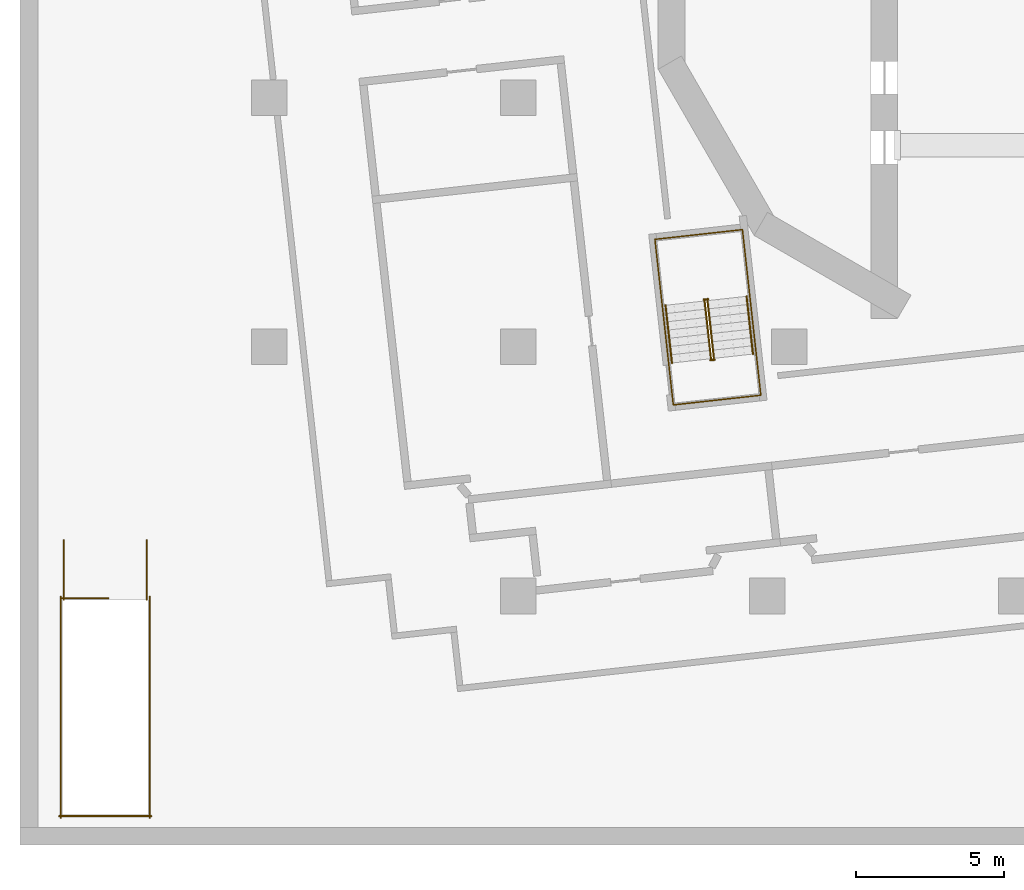
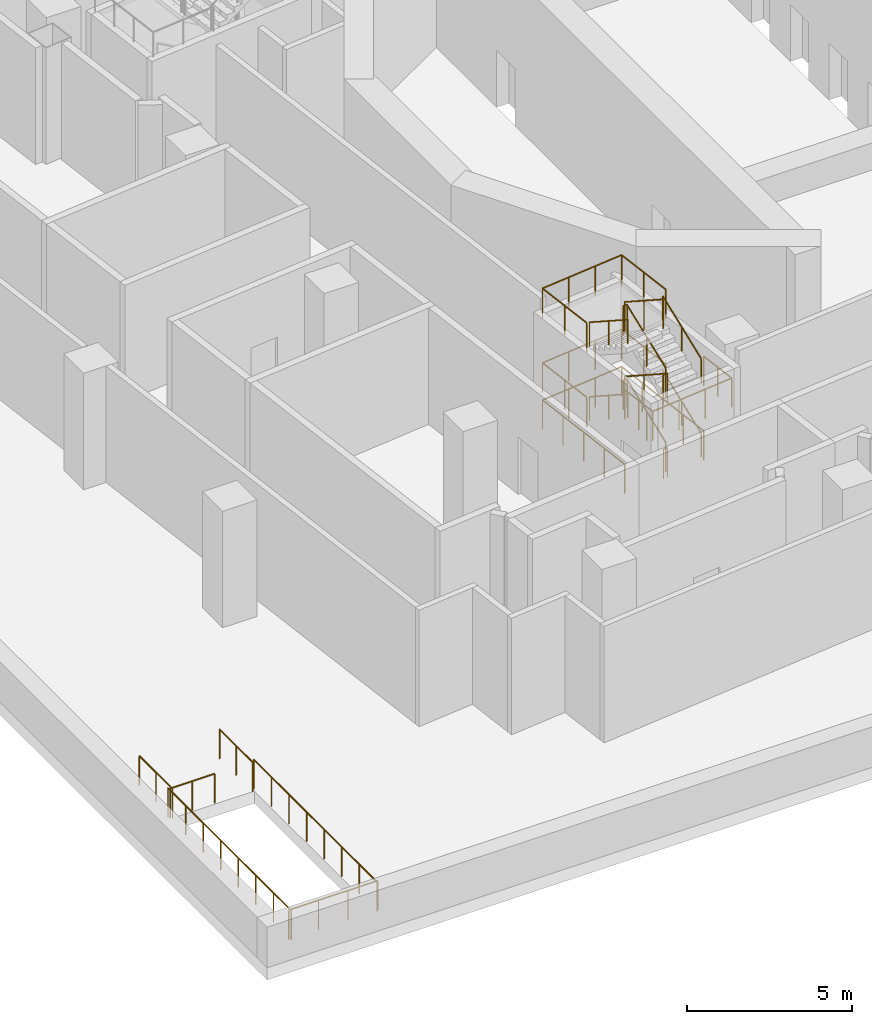
# One storey, part 7 of 12: 19 railings.
"""IFC4 building model written with IfcOpenShell, lengths in metres."""

from ifc_helpers import new_model, si_unit, direction, frame, origin, origin_2d, place, context, subcontext, project, spatial, circle, extrude, material, type_object, element, save


model = new_model("IFC4")

# Units and contexts
model_context = context("Model", 3, precision=1e-05, world=origin(), true_north=direction((0.0, 1.0)))
body_context = subcontext(model_context, "Body", "Model", "MODEL_VIEW")
ifc_project = project(units=[si_unit("LENGTHUNIT", "METRE"), si_unit("AREAUNIT", "SQUARE_METRE"), si_unit("VOLUMEUNIT", "CUBIC_METRE"), si_unit("PLANEANGLEUNIT", "RADIAN"), si_unit("MASSUNIT", "GRAM", prefix="KILO")], contexts=[model_context])

# Site, building, storey
site_placement = place(None, origin())
site = spatial("IfcSite", under=ifc_project, at=site_placement, CompositionType="ELEMENT")
building_placement = place(site_placement, origin())
building = spatial("IfcBuilding", under=site, at=building_placement, Name="Cantera Rosa Tower", CompositionType="ELEMENT")
storey_placement = place(building_placement, frame((0.0, 0.0, 37.0)))
storey = spatial("IfcBuildingStorey", under=building, at=storey_placement, Name="L06", CompositionType="ELEMENT", Elevation=37.0)

# Railings
ifc_material_1 = material(Name="Steel S355J2 (EN 10025-2)", Category="steel")
railing_type_1 = type_object("IfcRailingType", Name="STAIR GUARD 1100", PredefinedType="GUARDRAIL", material=ifc_material_1)
railing_1_placement = place(storey_placement, frame((-10.19677734375, -12.986083984375, 0.171875)))
element("IfcRailing", 1, at=railing_1_placement, inside=storey, type_object=railing_type_1, Name="L06 ST-13 stair guard 1", PredefinedType="GUARDRAIL", context=body_context, shape_type="SweptSolid", body=[
    extrude(circle(Radius=0.02392578125, at=origin_2d()), frame((0.0, 0.0, 1.076171875), z_axis=(-0.094056144529, 0.847036091642, 0.523147494625), x_axis=(-0.993891327652, -0.110363167853, 0.0)), (0.0, 0.0, 1.0), 2.2998046875),
    extrude(circle(Radius=0.02392578125, at=origin_2d()), frame((-0.21630859375, 1.947998046875, 2.279296875), z_axis=(0.358689472963, 0.933456941688, 0.0), x_axis=(-0.933456941688, 0.358689472963, 0.0)), (0.0, 0.0, 1.0), 0.056396484375),
    extrude(circle(Radius=0.02392578125, at=origin_2d()), frame((-0.196044921875, 2.000732421875, 2.279296875), z_axis=(-0.993843932464, -0.110789159685, 0.0), x_axis=(0.110789159685, -0.993843932464, 0.0)), (0.0, 0.0, 1.0), 0.14990234375),
    extrude(circle(Radius=0.02099609375, at=origin_2d()), origin(), (0.0, 0.0, 1.0), 1.052001953125),
    extrude(circle(Radius=0.02099609375, at=origin_2d()), frame((-0.108154296875, 0.97412109375, 0.6015625)), (0.0, 0.0, 1.0), 1.052001953125),
    extrude(circle(Radius=0.02099609375, at=origin_2d()), frame((-0.21630859375, 1.947998046875, 1.203125)), (0.0, 0.0, 1.0), 1.052001953125),
    extrude(circle(Radius=0.02099609375, at=origin_2d()), frame((-0.196044921875, 2.000732421875, 1.203125)), (0.0, 0.0, 1.0), 1.052001953125),
    extrude(circle(Radius=0.02099609375, at=origin_2d()), frame((-0.344970703125, 1.984130859375, 1.203125)), (0.0, 0.0, 1.0), 1.052001953125),
])
railing_2_placement = place(storey_placement, frame((-10.510498046875, -11.048828125, 1.546875)))
element("IfcRailing", 2, at=railing_2_placement, inside=storey, type_object=railing_type_1, Name="L06 ST-13 stair guard 2", PredefinedType="GUARDRAIL", context=body_context, shape_type="SweptSolid", body=[
    extrude(circle(Radius=0.02392578125, at=origin_2d()), frame((0.0, 0.0, 1.076171875), z_axis=(0.094056144529, -0.847036091642, 0.523147494625), x_axis=(0.993891327652, 0.110363167853, 0.0)), (0.0, 0.0, 1.0), 2.2998046875),
    extrude(circle(Radius=0.02392578125, at=origin_2d()), frame((0.21630859375, -1.947998046875, 2.279296875), z_axis=(-0.363909256389, -0.931434406233, 0.0), x_axis=(0.931434406233, -0.363909256389, 0.0)), (0.0, 0.0, 1.0), 0.056396484375),
    extrude(circle(Radius=0.02392578125, at=origin_2d()), frame((0.19580078125, -2.00048828125, 2.279296875), z_axis=(0.994041430915, 0.1090029065, 0.0), x_axis=(-0.1090029065, 0.994041430915, 0.0)), (0.0, 0.0, 1.0), 0.150146484375),
    extrude(circle(Radius=0.02099609375, at=origin_2d()), origin(), (0.0, 0.0, 1.0), 1.052001953125),
    extrude(circle(Radius=0.02099609375, at=origin_2d()), frame((0.108154296875, -0.97412109375, 0.6015625)), (0.0, 0.0, 1.0), 1.052001953125),
    extrude(circle(Radius=0.02099609375, at=origin_2d()), frame((0.21630859375, -1.947998046875, 1.203125)), (0.0, 0.0, 1.0), 1.052001953125),
    extrude(circle(Radius=0.02099609375, at=origin_2d()), frame((0.19580078125, -2.00048828125, 1.203125)), (0.0, 0.0, 1.0), 1.052001953125),
    extrude(circle(Radius=0.02099609375, at=origin_2d()), frame((0.344970703125, -1.984130859375, 1.203125)), (0.0, 0.0, 1.0), 1.052001953125),
])
railing_3_placement = place(storey_placement, frame((-10.19677734375, -12.986083984375, 2.921875)))
element("IfcRailing", 3, at=railing_3_placement, inside=storey, type_object=railing_type_1, Name="L06 ST-13 stair guard 3", PredefinedType="GUARDRAIL", context=body_context, shape_type="SweptSolid", body=[
    extrude(circle(Radius=0.02392578125, at=origin_2d()), frame((0.0, 0.0, 1.076171875), z_axis=(-0.094056144529, 0.847036091642, 0.523147494625), x_axis=(-0.993891327652, -0.110363167853, 0.0)), (0.0, 0.0, 1.0), 2.2998046875),
    extrude(circle(Radius=0.02392578125, at=origin_2d()), frame((-0.21630859375, 1.947998046875, 2.279296875), z_axis=(0.358689472963, 0.933456941688, 0.0), x_axis=(-0.933456941688, 0.358689472963, 0.0)), (0.0, 0.0, 1.0), 0.056396484375),
    extrude(circle(Radius=0.02392578125, at=origin_2d()), frame((-0.196044921875, 2.000732421875, 2.279296875), z_axis=(-0.993843932464, -0.110789159685, 0.0), x_axis=(0.110789159685, -0.993843932464, 0.0)), (0.0, 0.0, 1.0), 0.14990234375),
    extrude(circle(Radius=0.02099609375, at=origin_2d()), origin(), (0.0, 0.0, 1.0), 1.052001953125),
    extrude(circle(Radius=0.02099609375, at=origin_2d()), frame((-0.108154296875, 0.97412109375, 0.6015625)), (0.0, 0.0, 1.0), 1.052001953125),
    extrude(circle(Radius=0.02099609375, at=origin_2d()), frame((-0.21630859375, 1.947998046875, 1.203125)), (0.0, 0.0, 1.0), 1.052001953125),
    extrude(circle(Radius=0.02099609375, at=origin_2d()), frame((-0.196044921875, 2.000732421875, 1.203125)), (0.0, 0.0, 1.0), 1.052001953125),
    extrude(circle(Radius=0.02099609375, at=origin_2d()), frame((-0.344970703125, 1.984130859375, 1.203125)), (0.0, 0.0, 1.0), 1.052001953125),
])
railing_4_placement = place(storey_placement, frame((-10.510498046875, -11.048828125, 4.296875)))
element("IfcRailing", 4, at=railing_4_placement, inside=storey, type_object=railing_type_1, Name="L06 ST-13 stair guard 4", PredefinedType="GUARDRAIL", context=body_context, shape_type="SweptSolid", body=[
    extrude(circle(Radius=0.02392578125, at=origin_2d()), frame((0.0, 0.0, 1.076171875), z_axis=(0.094056144529, -0.847036091642, 0.523147494625), x_axis=(0.993891327652, 0.110363167853, 0.0)), (0.0, 0.0, 1.0), 2.2998046875),
    extrude(circle(Radius=0.02099609375, at=origin_2d()), origin(), (0.0, 0.0, 1.0), 1.052001953125),
    extrude(circle(Radius=0.02099609375, at=origin_2d()), frame((0.108154296875, -0.97412109375, 0.6015625)), (0.0, 0.0, 1.0), 1.052001953125),
    extrude(circle(Radius=0.02099609375, at=origin_2d()), frame((0.21630859375, -1.947998046875, 1.203125)), (0.0, 0.0, 1.0), 1.052001953125),
])
railing_5_placement = place(storey_placement, frame((-10.16552734375, -13.032958984375, 0.0)))
element("IfcRailing", 5, at=railing_5_placement, inside=storey, type_object=railing_type_1, Name="L06 ST-13 stair guard 5", PredefinedType="GUARDRAIL", context=body_context, shape_type="SweptSolid", body=[
    extrude(circle(Radius=0.02392578125, at=origin_2d()), frame((0.0, 0.0, 1.076171875), z_axis=(-0.994041430915, -0.1090029065, 0.0), x_axis=(0.1090029065, -0.994041430915, 0.0)), (0.0, 0.0, 1.0), 0.150146484375),
    extrude(circle(Radius=0.02099609375, at=origin_2d()), origin(), (0.0, 0.0, 1.0), 1.052001953125),
    extrude(circle(Radius=0.02099609375, at=origin_2d()), frame((-0.149169921875, -0.016357421875, 0.0)), (0.0, 0.0, 1.0), 1.052001953125),
])
railing_6_placement = place(storey_placement, frame((-8.77099609375, -12.815673828125, 0.0)))
element("IfcRailing", 6, at=railing_6_placement, inside=storey, type_object=railing_type_1, Name="L06 ST-13 stair guard 6", PredefinedType="GUARDRAIL", context=body_context, shape_type="SweptSolid", body=[
    extrude(circle(Radius=0.02392578125, at=origin_2d()), frame((0.0, 0.0, 1.076171875), z_axis=(-0.110323013767, 0.9938957856, 0.0), x_axis=(-0.9938957856, -0.110323013767, 0.0)), (0.0, 0.0, 1.0), 4.197998046875),
    extrude(circle(Radius=0.02392578125, at=origin_2d()), frame((-0.463134765625, 4.17236328125, 1.076171875), z_axis=(-0.993896759678, -0.110314237986, 0.0), x_axis=(0.110314237986, -0.993896759678, 0.0)), (0.0, 0.0, 1.0), 2.969970703125),
    extrude(circle(Radius=0.02392578125, at=origin_2d()), frame((-3.4150390625, 3.8447265625, 1.076171875), z_axis=(0.110323013767, -0.9938957856, 0.0), x_axis=(0.9938957856, 0.110323013767, 0.0)), (0.0, 0.0, 1.0), 4.197998046875),
    extrude(circle(Radius=0.02099609375, at=origin_2d()), origin(), (0.0, 0.0, 1.0), 1.052001953125),
    extrude(circle(Radius=0.02099609375, at=origin_2d()), frame((-0.11572265625, 1.04296875, 0.0)), (0.0, 0.0, 1.0), 1.052001953125),
    extrude(circle(Radius=0.02099609375, at=origin_2d()), frame((-0.2314453125, 2.086181640625, 0.0)), (0.0, 0.0, 1.0), 1.052001953125),
    extrude(circle(Radius=0.02099609375, at=origin_2d()), frame((-0.347412109375, 3.12939453125, 0.0)), (0.0, 0.0, 1.0), 1.052001953125),
    extrude(circle(Radius=0.02099609375, at=origin_2d()), frame((-0.463134765625, 4.17236328125, 0.0)), (0.0, 0.0, 1.0), 1.052001953125),
    extrude(circle(Radius=0.02099609375, at=origin_2d()), frame((-1.447021484375, 4.063232421875, 0.0)), (0.0, 0.0, 1.0), 1.052001953125),
    extrude(circle(Radius=0.02099609375, at=origin_2d()), frame((-2.43115234375, 3.953857421875, 0.0)), (0.0, 0.0, 1.0), 1.052001953125),
    extrude(circle(Radius=0.02099609375, at=origin_2d()), frame((-3.4150390625, 3.8447265625, 0.0)), (0.0, 0.0, 1.0), 1.052001953125),
    extrude(circle(Radius=0.02099609375, at=origin_2d()), frame((-3.29931640625, 2.8017578125, 0.0)), (0.0, 0.0, 1.0), 1.052001953125),
    extrude(circle(Radius=0.02099609375, at=origin_2d()), frame((-3.18359375, 1.758544921875, 0.0)), (0.0, 0.0, 1.0), 1.052001953125),
    extrude(circle(Radius=0.02099609375, at=origin_2d()), frame((-3.067626953125, 0.71533203125, 0.0)), (0.0, 0.0, 1.0), 1.052001953125),
    extrude(circle(Radius=0.02099609375, at=origin_2d()), frame((-2.951904296875, -0.32763671875, 0.0)), (0.0, 0.0, 1.0), 1.052001953125),
])
railing_7_placement = place(storey_placement, frame((-8.984619140625, -10.8916015625, 1.375)))
element("IfcRailing", 7, at=railing_7_placement, inside=storey, type_object=railing_type_1, Name="L06 ST-13 stair guard 7", PredefinedType="GUARDRAIL", context=body_context, shape_type="SweptSolid", body=[
    extrude(circle(Radius=0.02392578125, at=origin_2d()), frame((0.0, 0.0, 1.076171875), z_axis=(-0.110301223218, 0.993898204122, 0.0), x_axis=(-0.993898204122, -0.110301223218, 0.0)), (0.0, 0.0, 1.0), 2.26220703125),
    extrude(circle(Radius=0.02392578125, at=origin_2d()), frame((-0.24951171875, 2.248291015625, 1.076171875), z_axis=(-0.993896759678, -0.110314237986, 0.0), x_axis=(0.110314237986, -0.993896759678, 0.0)), (0.0, 0.0, 1.0), 2.969970703125),
    extrude(circle(Radius=0.02392578125, at=origin_2d()), frame((-3.201416015625, 1.920654296875, 1.076171875), z_axis=(0.11040783507, -0.993886366722, 0.0), x_axis=(0.993886366722, 0.11040783507, 0.0)), (0.0, 0.0, 1.0), 2.26220703125),
    extrude(circle(Radius=0.02099609375, at=origin_2d()), origin(), (0.0, 0.0, 1.0), 1.052001953125),
    extrude(circle(Radius=0.02099609375, at=origin_2d()), frame((-0.124755859375, 1.1240234375, 0.0)), (0.0, 0.0, 1.0), 1.052001953125),
    extrude(circle(Radius=0.02099609375, at=origin_2d()), frame((-0.24951171875, 2.248291015625, 0.0)), (0.0, 0.0, 1.0), 1.052001953125),
    extrude(circle(Radius=0.02099609375, at=origin_2d()), frame((-1.2333984375, 2.13916015625, 0.0)), (0.0, 0.0, 1.0), 1.052001953125),
    extrude(circle(Radius=0.02099609375, at=origin_2d()), frame((-2.217529296875, 2.02978515625, 0.0)), (0.0, 0.0, 1.0), 1.052001953125),
    extrude(circle(Radius=0.02099609375, at=origin_2d()), frame((-3.201416015625, 1.920654296875, 0.0)), (0.0, 0.0, 1.0), 1.052001953125),
    extrude(circle(Radius=0.02099609375, at=origin_2d()), frame((-3.07666015625, 0.79638671875, 0.0)), (0.0, 0.0, 1.0), 1.052001953125),
    extrude(circle(Radius=0.02099609375, at=origin_2d()), frame((-2.95166015625, -0.32763671875, 0.0)), (0.0, 0.0, 1.0), 1.052001953125),
])
railing_8_placement = place(storey_placement, frame((-8.77099609375, -12.815673828125, 2.75)))
element("IfcRailing", 8, at=railing_8_placement, inside=storey, type_object=railing_type_1, Name="L06 ST-13 stair guard 8", PredefinedType="GUARDRAIL", context=body_context, shape_type="SweptSolid", body=[
    extrude(circle(Radius=0.02392578125, at=origin_2d()), frame((0.0, 0.0, 1.076171875), z_axis=(0.110393838913, -0.993887921413, 0.0), x_axis=(0.993887921413, 0.110393838913, 0.0)), (0.0, 0.0, 1.0), 1.422119140625),
    extrude(circle(Radius=0.02392578125, at=origin_2d()), frame((0.156982421875, -1.413330078125, 1.076171875), z_axis=(-0.993896759678, -0.110314237986, 0.0), x_axis=(0.110314237986, -0.993896759678, 0.0)), (0.0, 0.0, 1.0), 2.969970703125),
    extrude(circle(Radius=0.02392578125, at=origin_2d()), frame((-2.794921875, -1.740966796875, 1.076171875), z_axis=(-0.110393838913, 0.993887921413, 0.0), x_axis=(-0.993887921413, -0.110393838913, 0.0)), (0.0, 0.0, 1.0), 1.422119140625),
    extrude(circle(Radius=0.02099609375, at=origin_2d()), origin(), (0.0, 0.0, 1.0), 1.052001953125),
    extrude(circle(Radius=0.02099609375, at=origin_2d()), frame((0.07861328125, -0.70654296875, 0.0)), (0.0, 0.0, 1.0), 1.052001953125),
    extrude(circle(Radius=0.02099609375, at=origin_2d()), frame((0.156982421875, -1.413330078125, 0.0)), (0.0, 0.0, 1.0), 1.052001953125),
    extrude(circle(Radius=0.02099609375, at=origin_2d()), frame((-0.826904296875, -1.5224609375, 0.0)), (0.0, 0.0, 1.0), 1.052001953125),
    extrude(circle(Radius=0.02099609375, at=origin_2d()), frame((-1.81103515625, -1.6318359375, 0.0)), (0.0, 0.0, 1.0), 1.052001953125),
    extrude(circle(Radius=0.02099609375, at=origin_2d()), frame((-2.794921875, -1.740966796875, 0.0)), (0.0, 0.0, 1.0), 1.052001953125),
    extrude(circle(Radius=0.02099609375, at=origin_2d()), frame((-2.87353515625, -1.0341796875, 0.0)), (0.0, 0.0, 1.0), 1.052001953125),
    extrude(circle(Radius=0.02099609375, at=origin_2d()), frame((-2.951904296875, -0.32763671875, 0.0)), (0.0, 0.0, 1.0), 1.052001953125),
])
railing_9_placement = place(storey_placement, frame((-8.984619140625, -10.8916015625, 4.125)))
element("IfcRailing", 9, at=railing_9_placement, inside=storey, type_object=railing_type_1, Name="L06 ST-13 stair guard 9", PredefinedType="GUARDRAIL", context=body_context, shape_type="SweptSolid", body=[
    extrude(circle(Radius=0.02392578125, at=origin_2d()), frame((0.0, 0.0, 1.076171875), z_axis=(-0.110301223218, 0.993898204122, 0.0), x_axis=(-0.993898204122, -0.110301223218, 0.0)), (0.0, 0.0, 1.0), 2.26220703125),
    extrude(circle(Radius=0.02392578125, at=origin_2d()), frame((-0.24951171875, 2.248291015625, 1.076171875), z_axis=(-0.993896759678, -0.110314237986, 0.0), x_axis=(0.110314237986, -0.993896759678, 0.0)), (0.0, 0.0, 1.0), 2.969970703125),
    extrude(circle(Radius=0.02392578125, at=origin_2d()), frame((-3.201416015625, 1.920654296875, 1.076171875), z_axis=(0.11040783507, -0.993886366722, 0.0), x_axis=(0.993886366722, 0.11040783507, 0.0)), (0.0, 0.0, 1.0), 2.26220703125),
    extrude(circle(Radius=0.02099609375, at=origin_2d()), origin(), (0.0, 0.0, 1.0), 1.052001953125),
    extrude(circle(Radius=0.02099609375, at=origin_2d()), frame((-0.124755859375, 1.1240234375, 0.0)), (0.0, 0.0, 1.0), 1.052001953125),
    extrude(circle(Radius=0.02099609375, at=origin_2d()), frame((-0.24951171875, 2.248291015625, 0.0)), (0.0, 0.0, 1.0), 1.052001953125),
    extrude(circle(Radius=0.02099609375, at=origin_2d()), frame((-1.2333984375, 2.13916015625, 0.0)), (0.0, 0.0, 1.0), 1.052001953125),
    extrude(circle(Radius=0.02099609375, at=origin_2d()), frame((-2.217529296875, 2.02978515625, 0.0)), (0.0, 0.0, 1.0), 1.052001953125),
    extrude(circle(Radius=0.02099609375, at=origin_2d()), frame((-3.201416015625, 1.920654296875, 0.0)), (0.0, 0.0, 1.0), 1.052001953125),
    extrude(circle(Radius=0.02099609375, at=origin_2d()), frame((-3.07666015625, 0.79638671875, 0.0)), (0.0, 0.0, 1.0), 1.052001953125),
    extrude(circle(Radius=0.02099609375, at=origin_2d()), frame((-2.95166015625, -0.32763671875, 0.0)), (0.0, 0.0, 1.0), 1.052001953125),
])
railing_10_placement = place(storey_placement, frame((-32.175048828125, -21.074951171875, 0.0)))
element("IfcRailing", 10, at=railing_10_placement, inside=storey, type_object=railing_type_1, Name="L06 ST-SW top well guard 1", PredefinedType="GUARDRAIL", context=body_context, shape_type="SweptSolid", body=[
    extrude(circle(Radius=0.02392578125, at=origin_2d()), frame((0.0, 0.0, 1.076171875), z_axis=(1.0, 0.0, 0.0), x_axis=(0.0, 1.0, 0.0)), (0.0, 0.0, 1.0), 1.550048828125),
    extrude(circle(Radius=0.02099609375, at=origin_2d()), origin(), (0.0, 0.0, 1.0), 1.052001953125),
    extrude(circle(Radius=0.02099609375, at=origin_2d()), frame((0.77490234375, 0.0, 0.0)), (0.0, 0.0, 1.0), 1.052001953125),
    extrude(circle(Radius=0.02099609375, at=origin_2d()), frame((1.550048828125, 0.0, 0.0)), (0.0, 0.0, 1.0), 1.052001953125),
])
for number, where, name in (
    (11, (-32.22509765625, -21.02490234375, 0.0), "L06 ST-SW top well guard 2"),
    (12, (-29.22509765625, -21.02490234375, 0.0), "L06 ST-SW top well guard 3"),
):
    element("IfcRailing", number, at=place(storey_placement, frame(where)), inside=storey, type_object=railing_type_1, Name=name, PredefinedType="GUARDRAIL", context=body_context, shape_type="SweptSolid", body=[
        extrude(circle(Radius=0.02392578125, at=origin_2d()), frame((0.0, 0.0, 1.076171875), z_axis=(0.0, -1.0, 0.0), x_axis=(1.0, 0.0, 0.0)), (0.0, 0.0, 1.0), 7.4501953125),
        extrude(circle(Radius=0.02099609375, at=origin_2d()), origin(), (0.0, 0.0, 1.0), 1.052001953125),
        extrude(circle(Radius=0.02099609375, at=origin_2d()), frame((0.0, -1.064208984375, 0.0)), (0.0, 0.0, 1.0), 1.052001953125),
        extrude(circle(Radius=0.02099609375, at=origin_2d()), frame((0.0, -2.128662109375, 0.0)), (0.0, 0.0, 1.0), 1.052001953125),
        extrude(circle(Radius=0.02099609375, at=origin_2d()), frame((0.0, -3.19287109375, 0.0)), (0.0, 0.0, 1.0), 1.052001953125),
        extrude(circle(Radius=0.02099609375, at=origin_2d()), frame((0.0, -4.25732421875, 0.0)), (0.0, 0.0, 1.0), 1.052001953125),
        extrude(circle(Radius=0.02099609375, at=origin_2d()), frame((0.0, -5.321533203125, 0.0)), (0.0, 0.0, 1.0), 1.052001953125),
        extrude(circle(Radius=0.02099609375, at=origin_2d()), frame((0.0, -6.385986328125, 0.0)), (0.0, 0.0, 1.0), 1.052001953125),
        extrude(circle(Radius=0.02099609375, at=origin_2d()), frame((0.0, -7.4501953125, 0.0)), (0.0, 0.0, 1.0), 1.052001953125),
    ])
railing_11_placement = place(storey_placement, frame((-32.27490234375, -28.425048828125, 0.0)))
element("IfcRailing", 13, at=railing_11_placement, inside=storey, type_object=railing_type_1, Name="L06 ST-SW top well guard 4", PredefinedType="GUARDRAIL", context=body_context, shape_type="SweptSolid", body=[
    extrude(circle(Radius=0.02392578125, at=origin_2d()), frame((0.0, 0.0, 1.076171875), z_axis=(1.0, 0.0, 0.0), x_axis=(0.0, 1.0, 0.0)), (0.0, 0.0, 1.0), 3.099853515625),
    extrude(circle(Radius=0.02099609375, at=origin_2d()), origin(), (0.0, 0.0, 1.0), 1.052001953125),
    extrude(circle(Radius=0.02099609375, at=origin_2d()), frame((1.033203125, 0.0, 0.0)), (0.0, 0.0, 1.0), 1.052001953125),
    extrude(circle(Radius=0.02099609375, at=origin_2d()), frame((2.066650390625, 0.0, 0.0)), (0.0, 0.0, 1.0), 1.052001953125),
    extrude(circle(Radius=0.02099609375, at=origin_2d()), frame((3.099853515625, 0.0, 0.0)), (0.0, 0.0, 1.0), 1.052001953125),
])
for number, where, name in (
    (14, (-32.125, -19.125, 0.0), "L06 ST-SW top well guard 5"),
    (15, (-29.324951171875, -19.125, 0.0), "L06 ST-SW top well guard 6"),
):
    element("IfcRailing", number, at=place(storey_placement, frame(where)), inside=storey, type_object=railing_type_1, Name=name, PredefinedType="GUARDRAIL", context=body_context, shape_type="SweptSolid", body=[
        extrude(circle(Radius=0.02392578125, at=origin_2d()), frame((0.0, 0.0, 1.076171875), z_axis=(0.0, -1.0, 0.0), x_axis=(1.0, 0.0, 0.0)), (0.0, 0.0, 1.0), 2.0),
        extrude(circle(Radius=0.02099609375, at=origin_2d()), origin(), (0.0, 0.0, 1.0), 1.052001953125),
        extrude(circle(Radius=0.02099609375, at=origin_2d()), frame((0.0, -1.0, 0.0)), (0.0, 0.0, 1.0), 1.052001953125),
        extrude(circle(Radius=0.02099609375, at=origin_2d()), frame((0.0, -2.0, 0.0)), (0.0, 0.0, 1.0), 1.052001953125),
    ])
ifc_material_2 = material(Name="Steel S355J2 (EN 10025-2)", Category="steel")
railing_type_2 = type_object("IfcRailingType", Name="STAIR HANDRAIL 900", PredefinedType="HANDRAIL", material=ifc_material_2)
railing_12_placement = place(storey_placement, frame((-8.87890625, -12.83984375, 0.171875)))
element("IfcRailing", 16, at=railing_12_placement, inside=storey, type_object=railing_type_2, Name="L06 ST-13 stair handrail 1", PredefinedType="HANDRAIL", context=body_context, shape_type="SweptSolid", body=[
    extrude(circle(Radius=0.02392578125, at=origin_2d()), frame((0.0, 0.0, 0.8759765625), z_axis=(-0.094056144529, 0.847036091642, 0.523147494625), x_axis=(-0.993891327652, -0.110363167853, 0.0)), (0.0, 0.0, 1.0), 2.2998046875),
    extrude(circle(Radius=0.02099609375, at=origin_2d()), origin(), (0.0, 0.0, 1.0), 0.851806640625),
    extrude(circle(Radius=0.02099609375, at=origin_2d()), frame((-0.108154296875, 0.97412109375, 0.6015625)), (0.0, 0.0, 1.0), 0.851806640625),
    extrude(circle(Radius=0.02099609375, at=origin_2d()), frame((-0.21630859375, 1.947998046875, 1.203125)), (0.0, 0.0, 1.0), 0.851806640625),
])
railing_13_placement = place(storey_placement, frame((-11.828369140625, -11.195068359375, 1.546875)))
element("IfcRailing", 17, at=railing_13_placement, inside=storey, type_object=railing_type_2, Name="L06 ST-13 stair handrail 2", PredefinedType="HANDRAIL", context=body_context, shape_type="SweptSolid", body=[
    extrude(circle(Radius=0.02392578125, at=origin_2d()), frame((0.0, 0.0, 0.8759765625), z_axis=(0.094056144529, -0.847036091642, 0.523147494625), x_axis=(0.993891327652, 0.110363167853, 0.0)), (0.0, 0.0, 1.0), 2.2998046875),
    extrude(circle(Radius=0.02099609375, at=origin_2d()), origin(), (0.0, 0.0, 1.0), 0.851806640625),
    extrude(circle(Radius=0.02099609375, at=origin_2d()), frame((0.108154296875, -0.97412109375, 0.6015625)), (0.0, 0.0, 1.0), 0.851806640625),
    extrude(circle(Radius=0.02099609375, at=origin_2d()), frame((0.21630859375, -1.947998046875, 1.203125)), (0.0, 0.0, 1.0), 0.851806640625),
])
railing_14_placement = place(storey_placement, frame((-8.87890625, -12.83984375, 2.921875)))
element("IfcRailing", 18, at=railing_14_placement, inside=storey, type_object=railing_type_2, Name="L06 ST-13 stair handrail 3", PredefinedType="HANDRAIL", context=body_context, shape_type="SweptSolid", body=[
    extrude(circle(Radius=0.02392578125, at=origin_2d()), frame((0.0, 0.0, 0.8759765625), z_axis=(-0.094056144529, 0.847036091642, 0.523147494625), x_axis=(-0.993891327652, -0.110363167853, 0.0)), (0.0, 0.0, 1.0), 2.2998046875),
    extrude(circle(Radius=0.02099609375, at=origin_2d()), origin(), (0.0, 0.0, 1.0), 0.851806640625),
    extrude(circle(Radius=0.02099609375, at=origin_2d()), frame((-0.108154296875, 0.97412109375, 0.6015625)), (0.0, 0.0, 1.0), 0.851806640625),
    extrude(circle(Radius=0.02099609375, at=origin_2d()), frame((-0.21630859375, 1.947998046875, 1.203125)), (0.0, 0.0, 1.0), 0.851806640625),
])
railing_15_placement = place(storey_placement, frame((-11.828369140625, -11.195068359375, 4.296875)))
element("IfcRailing", 19, at=railing_15_placement, inside=storey, type_object=railing_type_2, Name="L06 ST-13 stair handrail 4", PredefinedType="HANDRAIL", context=body_context, shape_type="SweptSolid", body=[
    extrude(circle(Radius=0.02392578125, at=origin_2d()), frame((0.0, 0.0, 0.8759765625), z_axis=(0.094056144529, -0.847036091642, 0.523147494625), x_axis=(0.993891327652, 0.110363167853, 0.0)), (0.0, 0.0, 1.0), 2.2998046875),
    extrude(circle(Radius=0.02099609375, at=origin_2d()), origin(), (0.0, 0.0, 1.0), 0.851806640625),
    extrude(circle(Radius=0.02099609375, at=origin_2d()), frame((0.108154296875, -0.97412109375, 0.6015625)), (0.0, 0.0, 1.0), 0.851806640625),
    extrude(circle(Radius=0.02099609375, at=origin_2d()), frame((0.21630859375, -1.947998046875, 1.203125)), (0.0, 0.0, 1.0), 0.851806640625),
])

save(model, "model.ifc")
